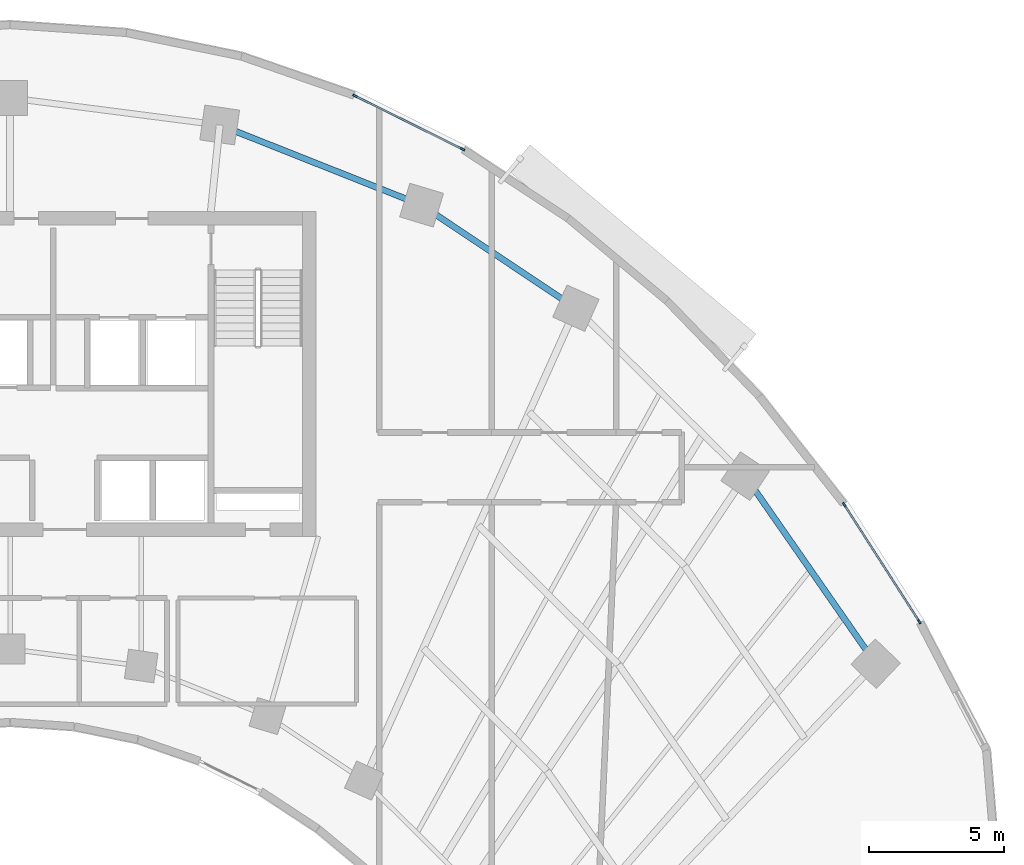
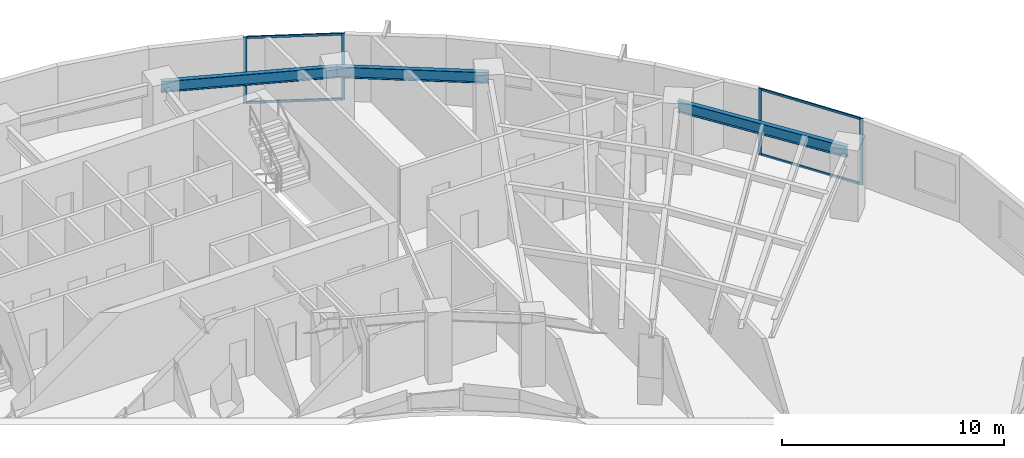
# One storey, part 6 of 14: 8 members, 3 beams, 2 elements without a shape of their own.
"""IFC4 building model written with IfcOpenShell, lengths in metres."""

from ifc_helpers import new_model, si_unit, direction, frame, origin, origin_2d, place, context, subcontext, project, spatial, rectangle, i_section, extrude, source, transform, mapped, material, layer, layer_set, material_profile, profile_set, type_object, element, aggregate, save


model = new_model("IFC4")

# Units and contexts
model_context = context("Model", 3, precision=1e-05, world=origin(), true_north=direction((0.0, 1.0)))
body_context = subcontext(model_context, "Body", "Model", "MODEL_VIEW")
ifc_project = project(units=[si_unit("LENGTHUNIT", "METRE"), si_unit("AREAUNIT", "SQUARE_METRE"), si_unit("VOLUMEUNIT", "CUBIC_METRE"), si_unit("PLANEANGLEUNIT", "RADIAN"), si_unit("MASSUNIT", "GRAM", prefix="KILO")], contexts=[model_context])

# Site, building, storey
site_placement = place(None, origin())
site = spatial("IfcSite", under=ifc_project, at=site_placement, CompositionType="ELEMENT")
building_placement = place(site_placement, origin())
building = spatial("IfcBuilding", under=site, at=building_placement, Name="Breltana Convention Tower", CompositionType="ELEMENT")
storey_placement = place(building_placement, frame((0.0, 0.0, 135.0)))
storey = spatial("IfcBuildingStorey", under=building, at=storey_placement, Name="L32", CompositionType="ELEMENT", Elevation=135.0)

# Beams
ifc_material_1 = material(Name="Steel ASTM A992 Grade 50", Category="steel")
ifc_material_profile_1 = material_profile(ifc_material_1, i_section(OverallWidth=0.22802734375, OverallDepth=0.60791015625, WebThickness=0.01123046875, FlangeThickness=0.017333984375, at=origin_2d()), Name="W24X76")
ifc_profile_set_1 = profile_set([ifc_material_profile_1], Name="Steel ASTM A992 Grade 50")
beam_type = type_object("IfcBeamType", Name="BM-SP-W24X76", PredefinedType="SPANDREL", material=ifc_profile_set_1)
shared_shape_1 = source(origin(), body_context, "Body", "SweptSolid", [
    extrude(i_section(OverallWidth=0.22802734375, OverallDepth=0.60791015625, WebThickness=0.01123046875, FlangeThickness=0.017333984375, at=origin_2d()), origin(), (0.0, 0.0, 1.0), 8.028564453125),
])
beam_1_placement = place(storey_placement, frame((55.746826171875, 75.404296875, 3.345947265625), z_axis=(0.929459100394, -0.368925169507, 0.0), x_axis=(0.368925169507, 0.929459100394, 0.0)))
element("IfcBeam", 1, at=beam_1_placement, inside=storey, type_object=beam_type, Name="L32 Outer Spandrel Beam 07", PredefinedType="SPANDREL", context=body_context, shape_type="MappedRepresentation", body=[
    mapped(shared_shape_1, transform((0.0, 0.0, 0.0), scale=1.0)),
])
shared_shape_2 = source(origin(), body_context, "Body", "SweptSolid", [
    extrude(i_section(OverallWidth=0.22802734375, OverallDepth=0.60791015625, WebThickness=0.01123046875, FlangeThickness=0.017333984375, at=origin_2d()), origin(), (0.0, 0.0, 1.0), 6.856689453125),
])
beam_2_placement = place(storey_placement, frame((63.208984375, 72.4423828125, 3.345947265625), z_axis=(0.83150210718, -0.55552159792, 0.0), x_axis=(0.55552159792, 0.83150210718, 0.0)))
element("IfcBeam", 2, at=beam_2_placement, inside=storey, type_object=beam_type, Name="L32 Outer Spandrel Beam 08", PredefinedType="SPANDREL", context=body_context, shape_type="MappedRepresentation", body=[
    mapped(shared_shape_2, transform((0.0, 0.0, 0.0), scale=1.0)),
])
shared_shape_3 = source(origin(), body_context, "Body", "SweptSolid", [
    extrude(i_section(OverallWidth=0.22802734375, OverallDepth=0.60791015625, WebThickness=0.01123046875, FlangeThickness=0.017333984375, at=origin_2d()), origin(), (0.0, 0.0, 1.0), 8.44970703125),
])
beam_3_placement = place(storey_placement, frame((75.166748046875, 62.43017578125, 3.345947265625), z_axis=(0.5711855381, -0.820820979913, 0.0), x_axis=(0.820820979913, 0.5711855381, 0.0)))
element("IfcBeam", 3, at=beam_3_placement, inside=storey, type_object=beam_type, Name="L32 Outer Spandrel Beam 10", PredefinedType="SPANDREL", context=body_context, shape_type="MappedRepresentation", body=[
    mapped(shared_shape_3, transform((0.0, 0.0, 0.0), scale=1.0)),
])

# Curtain wall, members
ifc_material_2 = material(Name="Aluminium Anodised Bronze Frame", Category="aluminium")
ifc_layer = layer(ifc_material_2, 0.22998046875, Name="Aluminium Anodised Bronze Frame")
ifc_layer_set = layer_set([ifc_layer], Name="Aluminium Anodised Bronze Frame")
curtain_wall_type = type_object("IfcCurtainWallType", Name="CW-SYS-5", PredefinedType="NOTDEFINED", material=ifc_layer_set)
curtain_wall_1_placement = place(storey_placement, origin())
curtain_wall_1 = element("IfcCurtainWall", 4, at=curtain_wall_1_placement, inside=storey, type_object=curtain_wall_type, Name="L32 outer double-skin inner glazing 4", PredefinedType="NOTDEFINED")
ifc_material_3 = material(Name="Aluminium Anodised Bronze", Category="aluminium")
ifc_material_profile_2 = material_profile(ifc_material_3, rectangle(XDim=0.070068359375, YDim=0.175048828125, at=origin_2d()), Name="CWM-70X175")
ifc_profile_set_2 = profile_set([ifc_material_profile_2], Name="Aluminium Anodised Bronze")
member_type_1 = type_object("IfcMemberType", Name="CWM-175", PredefinedType="MULLION", material=ifc_profile_set_2)
shared_shape_4 = source(origin(), body_context, "Body", "SweptSolid", [
    extrude(rectangle(XDim=0.070068359375, YDim=0.175048828125, at=origin_2d()), origin(), (0.0, 0.0, 1.0), 3.64990234375),
])
member_1_placement = place(storey_placement, frame((60.74560546875, 76.48193359375, 0.0), z_axis=(0.0, 0.0, 1.0), x_axis=(0.444121541007, 0.895966548937, 0.0)))
member_1 = element("IfcMember", 5, at=member_1_placement, type_object=member_type_1, Name="CW-05 mullion 1", PredefinedType="MULLION", context=body_context, shape_type="MappedRepresentation", body=[
    mapped(shared_shape_4, transform((0.0, 0.0, 0.0), scale=1.0)),
])
member_2_placement = place(storey_placement, frame((64.719970703125, 74.511962890625, 0.0), z_axis=(0.0, 0.0, 1.0), x_axis=(0.444121541007, 0.895966548937, 0.0)))
member_2 = element("IfcMember", 6, at=member_2_placement, type_object=member_type_1, Name="CW-05 mullion 2", PredefinedType="MULLION", context=body_context, shape_type="MappedRepresentation", body=[
    mapped(shared_shape_4, transform((0.0, 0.0, 0.0), scale=1.0)),
])

curtain_wall_2_placement = place(storey_placement, origin())
curtain_wall_2 = element("IfcCurtainWall", 7, at=curtain_wall_2_placement, inside=storey, type_object=curtain_wall_type, Name="L32 outer double-skin inner glazing 5", PredefinedType="NOTDEFINED")
member_3_placement = place(storey_placement, frame((78.830322265625, 61.370849609375, 0.0), z_axis=(0.0, 0.0, 1.0), x_axis=(0.84155155167, 0.540176809834, 0.0)))
member_3 = element("IfcMember", 8, at=member_3_placement, type_object=member_type_1, Name="CW-05 mullion 1", PredefinedType="MULLION", context=body_context, shape_type="MappedRepresentation", body=[
    mapped(shared_shape_4, transform((0.0, 0.0, 0.0), scale=1.0)),
])
member_4_placement = place(storey_placement, frame((81.604248046875, 57.049560546875, 0.0), z_axis=(0.0, 0.0, 1.0), x_axis=(0.84155155167, 0.540176809834, 0.0)))
member_4 = element("IfcMember", 9, at=member_4_placement, type_object=member_type_1, Name="CW-05 mullion 2", PredefinedType="MULLION", context=body_context, shape_type="MappedRepresentation", body=[
    mapped(shared_shape_4, transform((0.0, 0.0, 0.0), scale=1.0)),
])

# Member
ifc_material_profile_3 = material_profile(ifc_material_3, rectangle(XDim=0.070068359375, YDim=0.1201171875, at=origin_2d()), Name="CWT-70X120")
ifc_profile_set_3 = profile_set([ifc_material_profile_3], Name="Aluminium Anodised Bronze")
member_type_2 = type_object("IfcMemberType", Name="CWT-120", PredefinedType="USERDEFINED", material=ifc_profile_set_3)
shared_shape_5 = source(origin(), body_context, "Body", "SweptSolid", [
    extrude(rectangle(XDim=0.070068359375, YDim=0.1201171875, at=origin_2d()), origin(), (0.0, 0.0, 1.0), 4.365478515625),
])
member_5_placement = place(storey_placement, frame((60.777099609375, 76.46630859375, 0.034912109375), z_axis=(0.89595425125, -0.44414634938, 0.0), x_axis=(0.44414634938, 0.89595425125, 0.0)))
member_5 = element("IfcMember", 10, at=member_5_placement, type_object=member_type_2, Name="CW-05 transom 1.1", ObjectType="TRANSOM", PredefinedType="USERDEFINED", context=body_context, shape_type="MappedRepresentation", body=[
    mapped(shared_shape_5, transform((0.0, 0.0, 0.0), scale=1.0)),
])

member_6_placement = place(storey_placement, frame((60.777099609375, 76.46630859375, 3.614990234375), z_axis=(0.89595425125, -0.44414634938, 0.0), x_axis=(0.44414634938, 0.89595425125, 0.0)))
member_6 = element("IfcMember", 11, at=member_6_placement, type_object=member_type_2, Name="CW-05 transom 1.2", ObjectType="TRANSOM", PredefinedType="USERDEFINED", context=body_context, shape_type="MappedRepresentation", body=[
    mapped(shared_shape_5, transform((0.0, 0.0, 0.0), scale=1.0)),
])

aggregate(curtain_wall_1, [member_1, member_2, member_5, member_6])

shared_shape_6 = source(origin(), body_context, "Body", "SweptSolid", [
    extrude(rectangle(XDim=0.070068359375, YDim=0.1201171875, at=origin_2d()), origin(), (0.0, 0.0, 1.0), 5.065185546875),
])
member_7_placement = place(storey_placement, frame((78.849365234375, 61.341552734375, 0.034912109375), z_axis=(0.540167932383, -0.84155724988, 0.0), x_axis=(0.84155724988, 0.540167932383, 0.0)))
member_7 = element("IfcMember", 12, at=member_7_placement, type_object=member_type_2, Name="CW-05 transom 1.1", ObjectType="TRANSOM", PredefinedType="USERDEFINED", context=body_context, shape_type="MappedRepresentation", body=[
    mapped(shared_shape_6, transform((0.0, 0.0, 0.0), scale=1.0)),
])

member_8_placement = place(storey_placement, frame((78.849365234375, 61.341552734375, 3.614990234375), z_axis=(0.540167932383, -0.84155724988, 0.0), x_axis=(0.84155724988, 0.540167932383, 0.0)))
member_8 = element("IfcMember", 13, at=member_8_placement, type_object=member_type_2, Name="CW-05 transom 1.2", ObjectType="TRANSOM", PredefinedType="USERDEFINED", context=body_context, shape_type="MappedRepresentation", body=[
    mapped(shared_shape_6, transform((0.0, 0.0, 0.0), scale=1.0)),
])

aggregate(curtain_wall_2, [member_3, member_4, member_7, member_8])

save(model, "model.ifc")
